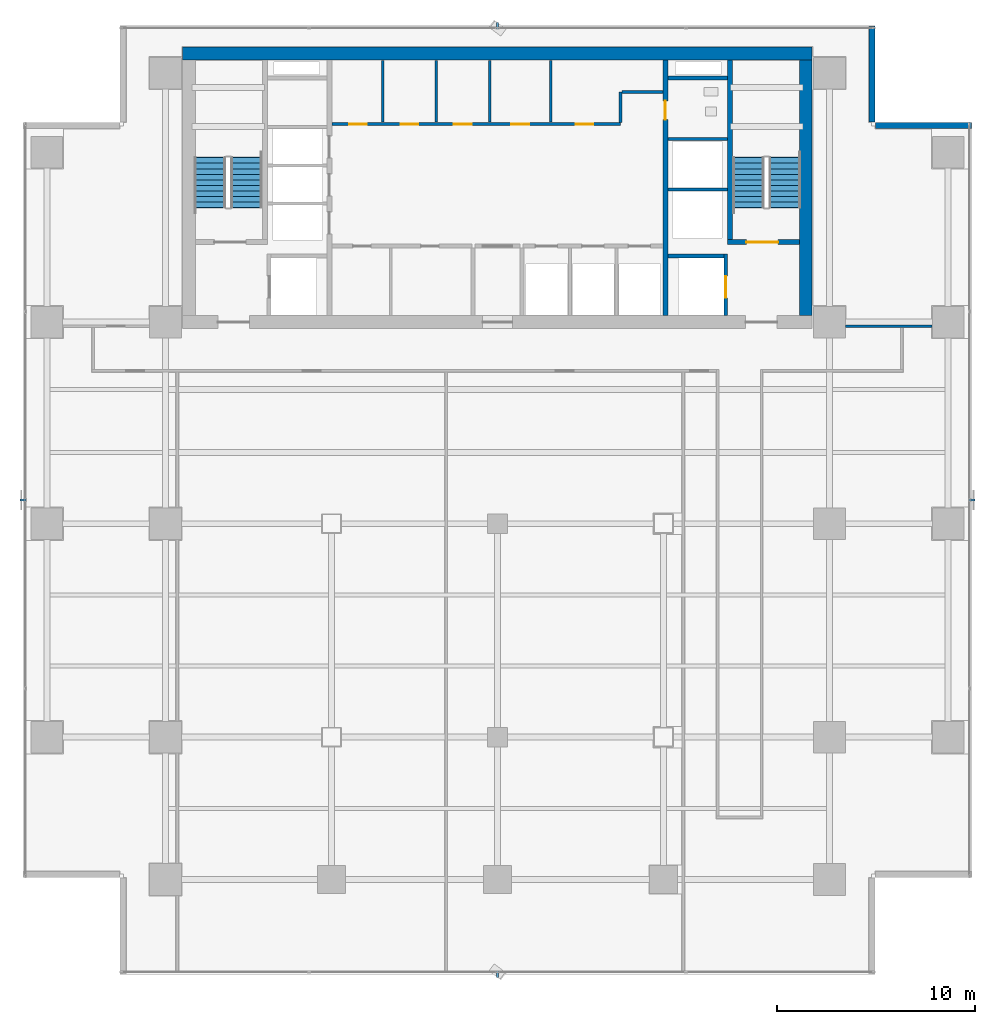
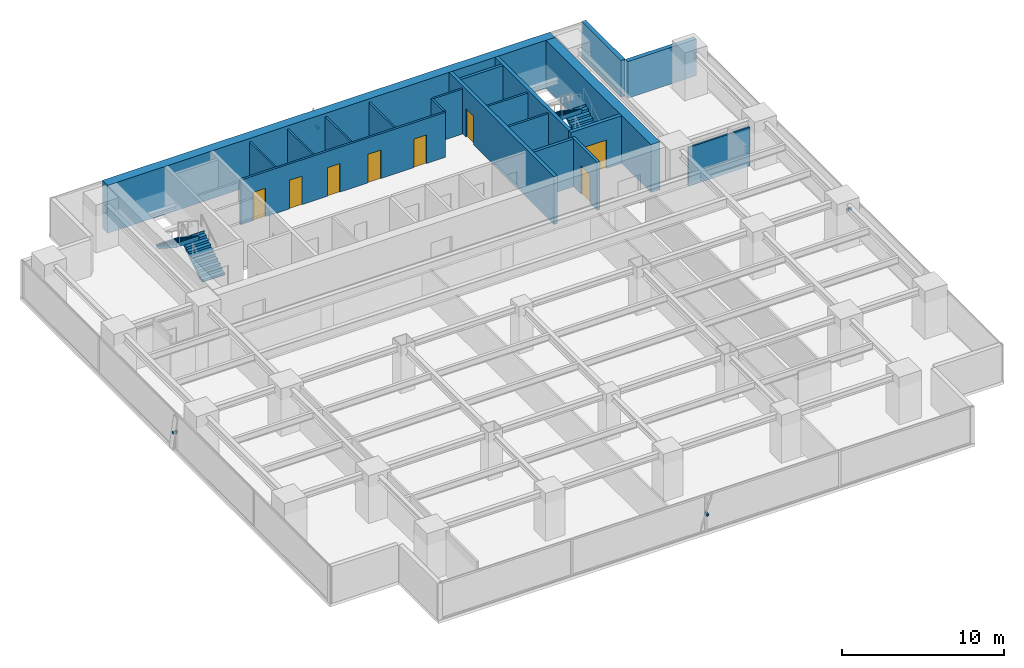
# One storey, part 22 of 27: 20 walls, 8 doors, 4 discrete accessories, 4 stair flights, 8 openings, 2 elements without a shape of their own.
"""IFC4 building model written with IfcOpenShell, lengths in metres."""

import ifcopenshell
import ifcopenshell.guid

model = None  # the IFC model being written
_history = None  # IfcOwnerHistory: only IFC2X3 demands one
_inside = {}  # id of a spatial element -> (the spatial element, [elements in it])
_under = {}  # id of a project, library or spatial element -> (it, [spatial elements below it])
_declared = {}  # id of a project -> (the project, [libraries it declares])
_typed = {}  # id of a type object -> (the type object, [elements of that type])
_made_of = {}  # id of a material, layer set ... -> (it, [elements and type objects made of it])


def new_model(schema):
    """Start an empty IFC model of exactly this schema.

    Asked for "IFC4X3", IfcOpenShell would pick the latest addendum, in which some entities
    have other attributes; the version numbers below select the first issue.
    IFC2X3 requires an IfcOwnerHistory on every rooted entity: one is made here for all.
    """
    global model, _history
    if schema == "IFC4X3":
        model = ifcopenshell.file(schema_version=(4, 3, 0, 0))
    else:
        model = ifcopenshell.file(schema=schema)
    _inside.clear()
    _under.clear()
    _declared.clear()
    _typed.clear()
    _made_of.clear()
    _history = None
    if model.schema == "IFC2X3":
        org = make("IfcOrganization", Name="unknown")
        user = make(
            "IfcPersonAndOrganization",
            ThePerson=make("IfcPerson", FamilyName="unknown"),
            TheOrganization=org,
        )
        app = make(
            "IfcApplication",
            ApplicationDeveloper=org,
            Version="unknown",
            ApplicationFullName="unknown",
            ApplicationIdentifier="unknown",
        )
        _history = make(
            "IfcOwnerHistory",
            OwningUser=user,
            OwningApplication=app,
            ChangeAction="ADDED",
            CreationDate=0,
        )
    return model


def make(cls, **values):
    """One entity of the class cls with the attributes given. An attribute that is None is left unset."""
    return model.create_entity(
        cls, **{name: value for name, value in values.items() if value is not None}
    )


def rooted(cls, **values):
    """An entity with a GlobalId (a new one), such as an element, a storey or a relation."""
    return make(cls, GlobalId=ifcopenshell.guid.new(), OwnerHistory=_history, **values)


def si_unit(unit_type, name, prefix=None):
    """IfcSIUnit, for example si_unit("LENGTHUNIT", "METRE", prefix="MILLI")."""
    return make("IfcSIUnit", UnitType=unit_type, Prefix=prefix, Name=name)


def assignment(units):
    """IfcUnitAssignment: the units of a project."""
    return None if units is None else make("IfcUnitAssignment", Units=units)


def point(xyz):
    """IfcCartesianPoint."""
    return None if xyz is None else make("IfcCartesianPoint", Coordinates=xyz)


def direction(xyz):
    """IfcDirection."""
    return None if xyz is None else make("IfcDirection", DirectionRatios=xyz)


def frame(location, z_axis=None, x_axis=None):
    """IfcAxis2Placement3D, a coordinate frame: its origin and axes. An axis left out is left unset."""
    return make(
        "IfcAxis2Placement3D",
        Location=point(location),
        Axis=direction(z_axis),
        RefDirection=direction(x_axis),
    )


def frame_2d(location, x_axis=None):
    """IfcAxis2Placement2D, a coordinate frame in the plane: its origin and x axis."""
    return make(
        "IfcAxis2Placement2D", Location=point(location), RefDirection=direction(x_axis)
    )


def origin():
    """The frame at (0, 0, 0) with its axes left unset."""
    return frame((0.0, 0.0, 0.0))


def origin_2d():
    """The frame at (0, 0) in the plane with its x axis left unset."""
    return frame_2d((0.0, 0.0))


def place(relative_to, where):
    """IfcLocalPlacement: puts the frame where relative to a parent placement (None: the world)."""
    return make(
        "IfcLocalPlacement", PlacementRelTo=relative_to, RelativePlacement=where
    )


def context(
    kind, dimensions, precision=None, world=None, true_north=None, identifier=None
):
    """IfcGeometricRepresentationContext, for example the 3D "Model" context."""
    return make(
        "IfcGeometricRepresentationContext",
        ContextIdentifier=identifier,
        ContextType=kind,
        CoordinateSpaceDimension=dimensions,
        Precision=precision,
        WorldCoordinateSystem=world,
        TrueNorth=true_north,
    )


def subcontext(parent, identifier, kind, view, scale=None):
    """IfcGeometricRepresentationSubContext, for example "Body" below "Model"."""
    return make(
        "IfcGeometricRepresentationSubContext",
        ContextIdentifier=identifier,
        ContextType=kind,
        ParentContext=parent,
        TargetScale=scale,
        TargetView=view,
    )


def project(units=None, contexts=None):
    """IfcProject with its units and contexts."""
    return rooted(
        "IfcProject",
        Name="project",
        RepresentationContexts=contexts,
        UnitsInContext=assignment(units),
    )


def spatial(cls, under=None, at=None, **own):
    """A site, building, storey or space (cls), placed at a placement, below another one or the project."""
    s = rooted(cls, ObjectPlacement=at, **own)
    if under is not None:
        _under.setdefault(under.id(), (under, []))[1].append(s)
    return s


def polyline(points):
    """IfcPolyline through the points."""
    return make("IfcPolyline", Points=[point(p) for p in points])


def profile(cls, at=None, kind="AREA", **sizes):
    """A parametric profile (cls). Its sizes go by their IFC names, for example OverallWidth=200.0."""
    return make(cls, ProfileType=kind, Position=at, **sizes)


def rectangle(**sizes):
    """IfcRectangleProfileDef."""
    return profile("IfcRectangleProfileDef", **sizes)


def outline(outer, holes=None, kind="AREA"):
    """IfcArbitraryClosedProfileDef: a profile drawn as a closed curve; with holes, ...WithVoids."""
    if holes is None:
        return make("IfcArbitraryClosedProfileDef", ProfileType=kind, OuterCurve=outer)
    return make(
        "IfcArbitraryProfileDefWithVoids",
        ProfileType=kind,
        OuterCurve=outer,
        InnerCurves=holes,
    )


def extrude(swept, where, along, depth):
    """IfcExtrudedAreaSolid: the profile swept, set in the frame where, extruded along a direction by depth."""
    return make(
        "IfcExtrudedAreaSolid",
        SweptArea=swept,
        Position=where,
        ExtrudedDirection=direction(along),
        Depth=depth,
    )


def shape(context_of_items, identifier, shape_type, items):
    """IfcShapeRepresentation: the items that make up one representation, for example the "Body"."""
    return make(
        "IfcShapeRepresentation",
        ContextOfItems=context_of_items,
        RepresentationIdentifier=identifier,
        RepresentationType=shape_type,
        Items=items,
    )


def source(mapping_origin, context_of_items, identifier, shape_type, items):
    """IfcRepresentationMap: a shape defined once, which mapped items show again and again."""
    return make(
        "IfcRepresentationMap",
        MappingOrigin=mapping_origin,
        MappedRepresentation=shape(context_of_items, identifier, shape_type, items),
    )


def transform(
    local_origin,
    x_axis=None,
    y_axis=None,
    z_axis=None,
    scale=None,
    scale2=None,
    scale3=None,
    uniform=True,
):
    """IfcCartesianTransformationOperator3D, or its non-uniform kind. x_axis, y_axis, z_axis: its Axis1, 2, 3."""
    if uniform:
        return make(
            "IfcCartesianTransformationOperator3D",
            Axis1=direction(x_axis),
            Axis2=direction(y_axis),
            LocalOrigin=point(local_origin),
            Scale=scale,
            Axis3=direction(z_axis),
        )
    return make(
        "IfcCartesianTransformationOperator3DnonUniform",
        Axis1=direction(x_axis),
        Axis2=direction(y_axis),
        LocalOrigin=point(local_origin),
        Scale=scale,
        Axis3=direction(z_axis),
        Scale2=scale2,
        Scale3=scale3,
    )


def mapped(mapping_source, mapping_target):
    """IfcMappedItem: shows the shape of a source again, moved by a transform."""
    return make(
        "IfcMappedItem", MappingSource=mapping_source, MappingTarget=mapping_target
    )


def material(Name=None, Category=None):
    """IfcMaterial."""
    return make("IfcMaterial", Name=Name, Category=Category)


def layer(
    of_material, thickness, ventilated=None, Name=None, Category=None, Priority=None
):
    """IfcMaterialLayer: one layer of a wall or slab, of a material (None: an air gap)."""
    return make(
        "IfcMaterialLayer",
        Material=of_material,
        LayerThickness=thickness,
        IsVentilated=ventilated,
        Name=Name,
        Category=Category,
        Priority=Priority,
    )


def layer_set(layers, Name=None):
    """IfcMaterialLayerSet."""
    return make("IfcMaterialLayerSet", MaterialLayers=layers, LayerSetName=Name)


def material_profile(
    of_material, cross_section, Name=None, Category=None, Priority=None
):
    """IfcMaterialProfile: a cross section and its material."""
    return make(
        "IfcMaterialProfile",
        Name=Name,
        Material=of_material,
        Profile=cross_section,
        Priority=Priority,
        Category=Category,
    )


def profile_set(profiles, Name=None, composite=None):
    """IfcMaterialProfileSet."""
    return make(
        "IfcMaterialProfileSet",
        Name=Name,
        MaterialProfiles=profiles,
        CompositeProfile=composite,
    )


def made_of(thing, what):
    """Note that an element or type object is made of a material, layer set ...; save() writes the relation."""
    if what is not None:
        _made_of.setdefault(what.id(), (what, []))[1].append(thing)
    return thing


def type_object(cls, material=None, **own):
    """A type object (cls), such as IfcWallType, which elements share."""
    return made_of(rooted(cls, **own), material)


def element(
    cls,
    number,
    at=None,
    inside=None,
    cuts=None,
    type_object=None,
    material=None,
    context=None,
    identifier="Body",
    shape_type=None,
    held_by="IfcProductDefinitionShape",
    body=None,
    shapes=None,
    **own,
):
    """One element of the class cls, such as IfcWall. Its Tag is "e" and its number.

    at: its placement. inside: the storey or other place that contains it. cuts: it is an
    opening in that element (IfcRelVoidsElement). A single representation is given by context,
    identifier, shape_type and body (its items); several are given by shapes. held_by: the class
    of the entity that holds the representations. save() writes the other relations.
    """
    e = rooted(cls, Tag="e%d" % number, ObjectPlacement=at, **own)
    if body is not None:
        shapes = [shape(context, identifier, shape_type, body)]
    if shapes is not None:
        e.Representation = make(held_by, Representations=shapes)
    if inside is not None:
        _inside.setdefault(inside.id(), (inside, []))[1].append(e)
    if cuts is not None:
        rooted(
            "IfcRelVoidsElement", RelatingBuildingElement=cuts, RelatedOpeningElement=e
        )
    if type_object is not None:
        _typed.setdefault(type_object.id(), (type_object, []))[1].append(e)
    return made_of(e, material)


def fill(opening, filler):
    """IfcRelFillsElement: the door or window that sits in an opening."""
    return rooted(
        "IfcRelFillsElement",
        RelatingOpeningElement=opening,
        RelatedBuildingElement=filler,
    )


def aggregate(whole, parts):
    """IfcRelAggregates: a whole, such as a stair, and the parts it consists of."""
    return rooted("IfcRelAggregates", RelatingObject=whole, RelatedObjects=parts)


def save(model, path):
    """Write the relations noted so far, then the file.

    IfcRelAggregates (storeys below a building ...), IfcRelContainedInSpatialStructure (elements
    in a storey), IfcRelDefinesByType, IfcRelAssociatesMaterial and IfcRelDeclares: one each for
    every whole, place, type object, material and project.
    """
    for whole, parts in _under.values():
        aggregate(whole, parts)
    for where, things in _inside.values():
        rooted(
            "IfcRelContainedInSpatialStructure",
            RelatedElements=things,
            RelatingStructure=where,
        )
    for kind, things in _typed.values():
        rooted("IfcRelDefinesByType", RelatedObjects=things, RelatingType=kind)
    for what, things in _made_of.values():
        rooted("IfcRelAssociatesMaterial", RelatedObjects=things, RelatingMaterial=what)
    for by, libraries in _declared.values():
        rooted("IfcRelDeclares", RelatingContext=by, RelatedDefinitions=libraries)
    model.write(path)


model = new_model("IFC4")

# Units and contexts
model_context = context("Model", 3, precision=1e-05, world=origin(), true_north=direction((0.0, 1.0)))
body_context = subcontext(model_context, "Body", "Model", "MODEL_VIEW")
ifc_project = project(units=[si_unit("LENGTHUNIT", "METRE"), si_unit("AREAUNIT", "SQUARE_METRE"), si_unit("VOLUMEUNIT", "CUBIC_METRE"), si_unit("PLANEANGLEUNIT", "RADIAN"), si_unit("MASSUNIT", "GRAM", prefix="KILO")], contexts=[model_context])

# Site, building, storey
site_placement = place(None, origin())
site = spatial("IfcSite", under=ifc_project, at=site_placement, CompositionType="ELEMENT")
building_placement = place(site_placement, origin())
building = spatial("IfcBuilding", under=site, at=building_placement, Name="Sumidabori Civic Tower", CompositionType="ELEMENT")
storey_placement = place(building_placement, frame((0.0, 0.0, 135.199951171875)))
storey = spatial("IfcBuildingStorey", under=building, at=storey_placement, Name="L34", CompositionType="ELEMENT", Elevation=135.199951171875)

# Walls
ifc_material_1 = material(Name="Concrete C50/60", Category="concrete")
ifc_layer_1 = layer(ifc_material_1, 0.199951171875, Name="Concrete C50/60")
ifc_layer_set_1 = layer_set([ifc_layer_1], Name="Concrete C50/60")
wall_type_1 = type_object("IfcWallType", Name="WL-SHAFT-200", PredefinedType="SHEAR", material=ifc_layer_set_1)
shared_shape_1 = source(origin(), body_context, "Body", "SweptSolid", [
    extrude(rectangle(XDim=2.824951171875, YDim=0.199951171875, at=frame_2d((1.41259765625, 0.0))), origin(), (0.0, 0.0, 1.0), 3.60009765625),
])
wall_1_placement = place(storey_placement, frame((8.625, 13.550048828125, 0.0), z_axis=(0.0, 0.0, 1.0), x_axis=(1.0, 0.0, 0.0)))
element("IfcWall", 1, at=wall_1_placement, inside=storey, type_object=wall_type_1, Name="Core Shear Wall L34 EL2-N", PredefinedType="SHEAR", context=body_context, shape_type="MappedRepresentation", body=[
    mapped(shared_shape_1, transform((0.0, 0.0, 0.0), x_axis=(1.0, 0.0, 0.0), y_axis=(0.0, 1.0, 0.0), z_axis=(0.0, 0.0, 1.0), scale=1.0)),
])
shared_shape_2 = source(origin(), body_context, "Body", "SweptSolid", [
    extrude(rectangle(XDim=3.02001953125, YDim=0.199951171875, at=frame_2d((1.510009765625, 0.0))), origin(), (0.0, 0.0, 1.0), 3.60009765625),
])
wall_2_placement = place(storey_placement, frame((8.625, 22.550048828125, 0.0), z_axis=(0.0, 0.0, 1.0), x_axis=(1.0, 0.0, 0.0)))
element("IfcWall", 2, at=wall_2_placement, inside=storey, type_object=wall_type_1, Name="Core Shear Wall L34 RIS2-S", PredefinedType="SHEAR", context=body_context, shape_type="MappedRepresentation", body=[
    mapped(shared_shape_2, transform((0.0, 0.0, 0.0), x_axis=(1.0, 0.0, 0.0), y_axis=(0.0, 1.0, 0.0), z_axis=(0.0, 0.0, 1.0), scale=1.0)),
])
ifc_material_2 = material(Name="Concrete C60/75", Category="concrete")
ifc_layer_2 = layer(ifc_material_2, 0.64990234375, Name="Concrete C60/75")
ifc_layer_set_2 = layer_set([ifc_layer_2], Name="Concrete C60/75")
wall_type_2 = type_object("IfcWallType", Name="WL-CORE-650", PredefinedType="SHEAR", material=ifc_layer_set_2)
shared_shape_3 = source(origin(), body_context, "Body", "SweptSolid", [
    extrude(rectangle(XDim=31.85009765625, YDim=0.64990234375, at=frame_2d((15.925048828125, 0.0))), origin(), (0.0, 0.0, 1.0), 3.60009765625),
])
wall_3_placement = place(storey_placement, frame((-15.925048828125, 23.800048828125, 0.0), z_axis=(0.0, 0.0, 1.0), x_axis=(1.0, 0.0, 0.0)))
element("IfcWall", 3, at=wall_3_placement, inside=storey, type_object=wall_type_2, Name="Core Shear Wall L34 N", PredefinedType="SHEAR", context=body_context, shape_type="MappedRepresentation", body=[
    mapped(shared_shape_3, transform((0.0, 0.0, 0.0), x_axis=(1.0, 0.0, 0.0), y_axis=(0.0, 1.0, 0.0), z_axis=(0.0, 0.0, 1.0), scale=1.0)),
])
shared_shape_4 = source(origin(), body_context, "Body", "SweptSolid", [
    extrude(rectangle(XDim=12.9501953125, YDim=0.64990234375, at=frame_2d((6.47509765625, 0.0))), origin(), (0.0, 0.0, 1.0), 3.60009765625),
])
wall_4_placement = place(storey_placement, frame((15.60009765625, 10.52490234375, 0.0), z_axis=(0.0, 0.0, 1.0), x_axis=(0.0, 1.0, 0.0)))
element("IfcWall", 4, at=wall_4_placement, inside=storey, type_object=wall_type_2, Name="Core Shear Wall L34 E", PredefinedType="SHEAR", context=body_context, shape_type="MappedRepresentation", body=[
    mapped(shared_shape_4, transform((0.0, 0.0, 0.0), x_axis=(1.0, 0.0, 0.0), y_axis=(0.0, 1.0, 0.0), z_axis=(0.0, 0.0, 1.0), scale=1.0)),
])

# Wall, opening, door
ifc_layer_3 = layer(ifc_material_1, 0.25, Name="Concrete C50/60")
ifc_layer_set_3 = layer_set([ifc_layer_3], Name="Concrete C50/60")
wall_type_3 = type_object("IfcWallType", Name="WL-SHAFT-250", PredefinedType="SHEAR", material=ifc_layer_set_3)
shared_shape_5 = source(origin(), body_context, "Body", "SweptSolid", [
    extrude(rectangle(XDim=12.9501953125, YDim=0.25, at=frame_2d((6.47509765625, 0.0))), origin(), (0.0, 0.0, 1.0), 3.60009765625),
])
wall_5_placement = place(storey_placement, frame((8.5, 10.52490234375, 0.0), z_axis=(0.0, 0.0, 1.0), x_axis=(0.0, 1.0, 0.0)))
wall_5 = element("IfcWall", 5, at=wall_5_placement, inside=storey, type_object=wall_type_3, Name="Core Shear Wall L34 WEB-E", PredefinedType="SHEAR", context=body_context, shape_type="MappedRepresentation", body=[
    mapped(shared_shape_5, transform((0.0, 0.0, 0.0), x_axis=(1.0, 0.0, 0.0), y_axis=(0.0, 1.0, 0.0), z_axis=(0.0, 0.0, 1.0), scale=1.0)),
])
opening_1_placement = place(wall_5_placement, frame((9.925048828125, 0.0, 0.0)))
opening_1 = element("IfcOpeningElement", 6, at=opening_1_placement, cuts=wall_5, Name="Opening DR-2", PredefinedType="OPENING", context=body_context, shape_type="SweptSolid", body=[
    extrude(rectangle(XDim=0.949951171875, YDim=2.14990234375, at=frame_2d((0.47509765625, 1.074951171875))), frame((0.0, 0.136962890625, 0.0), z_axis=(0.0, -1.0, 0.0), x_axis=(1.0, 0.0, 0.0)), (0.0, 0.0, 1.0), 0.27392578125),
])
ifc_material_3 = material(Name="Japanese Hinoki Timber", Category="wood")
door_type_1 = type_object("IfcDoorType", Name="DR-INT-950", OperationType="NOTDEFINED", PredefinedType="DOOR", material=ifc_material_3)
shared_shape_6 = source(origin(), body_context, "Body", "SweptSolid", [
    extrude(rectangle(XDim=0.949951171875, YDim=2.14990234375, at=frame_2d((0.47509765625, 1.074951171875))), frame((0.0, 0.02490234375, 0.0), z_axis=(0.0, -1.0, 0.0), x_axis=(1.0, 0.0, 0.0)), (0.0, 0.0, 1.0), 0.050048828125),
])
door_1_placement = place(opening_1_placement, origin())
door_1 = element("IfcDoor", 7, at=door_1_placement, inside=storey, type_object=door_type_1, Name="Door DR:L34:WC-ACC", OperationType="SINGLE_SWING_RIGHT", OverallHeight=2.14990234375, OverallWidth=0.949951171875, PredefinedType="DOOR", context=body_context, shape_type="MappedRepresentation", body=[
    mapped(shared_shape_6, transform((0.0, 0.0, 0.0), x_axis=(1.0, 0.0, 0.0), y_axis=(0.0, 1.0, 0.0), z_axis=(0.0, 0.0, 1.0), scale=1.0)),
])
fill(opening_1, door_1)

shared_shape_7 = source(origin(), body_context, "Body", "SweptSolid", [
    extrude(rectangle(XDim=3.6298828125, YDim=0.25, at=frame_2d((1.81494140625, 0.0))), origin(), (0.0, 0.0, 1.0), 3.60009765625),
])
wall_6_placement = place(storey_placement, frame((11.64501953125, 14.25, 0.0), z_axis=(0.0, 0.0, 1.0), x_axis=(1.0, 0.0, 0.0)))
wall_6 = element("IfcWall", 8, at=wall_6_placement, inside=storey, type_object=wall_type_3, Name="Core Shear Wall L34 ST2-S", PredefinedType="SHEAR", context=body_context, shape_type="MappedRepresentation", body=[
    mapped(shared_shape_7, transform((0.0, 0.0, 0.0), x_axis=(1.0, 0.0, 0.0), y_axis=(0.0, 1.0, 0.0), z_axis=(0.0, 0.0, 1.0), scale=1.0)),
])
opening_2_placement = place(wall_6_placement, frame((0.949951171875, 0.0, 0.0)))
opening_2 = element("IfcOpeningElement", 9, at=opening_2_placement, cuts=wall_6, Name="Opening DR-FD4", PredefinedType="OPENING", context=body_context, shape_type="SweptSolid", body=[
    extrude(rectangle(XDim=1.60009765625, YDim=2.14990234375, at=frame_2d((0.800048828125, 1.074951171875))), frame((0.0, 0.136962890625, 0.0), z_axis=(0.0, -1.0, 0.0), x_axis=(1.0, 0.0, 0.0)), (0.0, 0.0, 1.0), 0.27392578125),
])
ifc_material_4 = material(Name="Steel SN490", Category="steel")
door_type_2 = type_object("IfcDoorType", Name="DR-FD4", OperationType="DOUBLE_DOOR_SINGLE_SWING", PredefinedType="DOOR", material=ifc_material_4)
shared_shape_8 = source(origin(), body_context, "Body", "SweptSolid", [
    extrude(rectangle(XDim=1.60009765625, YDim=2.14990234375, at=frame_2d((0.800048828125, 1.074951171875))), frame((0.0, 0.02490234375, 0.0), z_axis=(0.0, -1.0, 0.0), x_axis=(1.0, 0.0, 0.0)), (0.0, 0.0, 1.0), 0.050048828125),
])
door_2_placement = place(opening_2_placement, origin())
door_2 = element("IfcDoor", 10, at=door_2_placement, inside=storey, type_object=door_type_2, Name="Door DR:L34:ST2", OperationType="DOUBLE_DOOR_SINGLE_SWING", OverallHeight=2.14990234375, OverallWidth=1.60009765625, PredefinedType="DOOR", context=body_context, shape_type="MappedRepresentation", body=[
    mapped(shared_shape_8, transform((0.0, 0.0, 0.0), x_axis=(1.0, 0.0, 0.0), y_axis=(0.0, 1.0, 0.0), z_axis=(0.0, 0.0, 1.0), scale=1.0)),
])
fill(opening_2, door_2)

# Wall
shared_shape_9 = source(origin(), body_context, "Body", "SweptSolid", [
    extrude(rectangle(XDim=9.10009765625, YDim=0.25, at=frame_2d((4.550048828125, 0.0))), origin(), (0.0, 0.0, 1.0), 3.60009765625),
])
wall_7_placement = place(storey_placement, frame((11.77001953125, 14.375, 0.0), z_axis=(0.0, 0.0, 1.0), x_axis=(0.0, 1.0, 0.0)))
element("IfcWall", 11, at=wall_7_placement, inside=storey, type_object=wall_type_3, Name="Core Shear Wall L34 ST2-W", PredefinedType="SHEAR", context=body_context, shape_type="MappedRepresentation", body=[
    mapped(shared_shape_9, transform((0.0, 0.0, 0.0), x_axis=(1.0, 0.0, 0.0), y_axis=(0.0, 1.0, 0.0), z_axis=(0.0, 0.0, 1.0), scale=1.0)),
])

# Wall, opening, door
shared_shape_10 = source(origin(), body_context, "Body", "SweptSolid", [
    extrude(rectangle(XDim=3.125, YDim=0.199951171875, at=frame_2d((1.5625, 0.0))), origin(), (0.0, 0.0, 1.0), 3.60009765625),
])
wall_8_placement = place(storey_placement, frame((11.550048828125, 10.52490234375, 0.0), z_axis=(0.0, 0.0, 1.0), x_axis=(0.0, 1.0, 0.0)))
wall_8 = element("IfcWall", 12, at=wall_8_placement, inside=storey, type_object=wall_type_1, Name="Core Shear Wall L34 EL2-E", PredefinedType="SHEAR", context=body_context, shape_type="MappedRepresentation", body=[
    mapped(shared_shape_10, transform((0.0, 0.0, 0.0), x_axis=(1.0, 0.0, 0.0), y_axis=(0.0, 1.0, 0.0), z_axis=(0.0, 0.0, 1.0), scale=1.0)),
])
opening_3_placement = place(wall_8_placement, frame((0.89990234375, 0.0, 0.0)))
opening_3 = element("IfcOpeningElement", 13, at=opening_3_placement, cuts=wall_8, Name="Opening LD-2", PredefinedType="OPENING", context=body_context, shape_type="SweptSolid", body=[
    extrude(rectangle(XDim=1.10009765625, YDim=2.14990234375, at=frame_2d((0.550048828125, 1.074951171875))), frame((0.0, 0.11181640625, 0.0), z_axis=(0.0, -1.0, 0.0), x_axis=(1.0, 0.0, 0.0)), (0.0, 0.0, 1.0), 0.223876953125),
])
ifc_material_5 = material(Name="Stainless Steel Hairline Finish", Category="steel")
door_type_3 = type_object("IfcDoorType", Name="DR-LD2", OperationType="DOUBLE_DOOR_SLIDING", PredefinedType="DOOR", material=ifc_material_5)
shared_shape_11 = source(origin(), body_context, "Body", "SweptSolid", [
    extrude(rectangle(XDim=1.10009765625, YDim=2.14990234375, at=frame_2d((0.550048828125, 1.074951171875))), frame((0.0, 0.02490234375, 0.0), z_axis=(0.0, -1.0, 0.0), x_axis=(1.0, 0.0, 0.0)), (0.0, 0.0, 1.0), 0.050048828125),
])
door_3_placement = place(opening_3_placement, origin())
door_3 = element("IfcDoor", 14, at=door_3_placement, inside=storey, type_object=door_type_3, Name="Door DR:L34:LD-EL2", OperationType="DOUBLE_DOOR_SLIDING", OverallHeight=2.14990234375, OverallWidth=1.10009765625, PredefinedType="DOOR", context=body_context, shape_type="MappedRepresentation", body=[
    mapped(shared_shape_11, transform((0.0, 0.0, 0.0), x_axis=(1.0, 0.0, 0.0), y_axis=(0.0, 1.0, 0.0), z_axis=(0.0, 0.0, 1.0), scale=1.0)),
])
fill(opening_3, door_3)

# Walls
ifc_material_6 = material(Name="Precast concrete C40/50", Category="concrete")
ifc_layer_4 = layer(ifc_material_6, 0.300048828125, Name="Precast concrete C40/50")
ifc_layer_set_4 = layer_set([ifc_layer_4], Name="Precast concrete C40/50")
wall_type_4 = type_object("IfcWallType", Name="WL-EXT-POD300", PredefinedType="STANDARD", material=ifc_layer_set_4)
shared_shape_12 = source(origin(), body_context, "Body", "SweptSolid", [
    extrude(rectangle(XDim=4.85986328125, YDim=0.300048828125, at=frame_2d((2.429931640625, 0.0))), origin(), (0.0, 0.0, 1.0), 2.760009765625),
])
for number, where, z_axis, x_axis, name in (
    (15, (23.97998046875, 20.14990234375, 0.0), (0.0, 0.0, 1.0), (-1.0, 0.0, 0.0), "Notched Corner Spandrel Band L34-05"),
    (16, (18.949951171875, 20.320068359375, 0.0), (0.0, 0.0, 1.0), (0.0, 1.0, 0.0), "Notched Corner Spandrel Band L34-06"),
):
    element("IfcWall", number, at=place(storey_placement, frame(where, z_axis=z_axis, x_axis=x_axis)), inside=storey, type_object=wall_type_4, Name=name, PredefinedType="STANDARD", context=body_context, shape_type="MappedRepresentation", body=[
        mapped(shared_shape_12, transform((0.0, 0.0, 0.0), x_axis=(1.0, 0.0, 0.0), y_axis=(0.0, 1.0, 0.0), z_axis=(0.0, 0.0, 1.0), scale=1.0)),
    ])
ifc_material_7 = material(Name="Gypsum Plasterboard Acoustic Partition")
ifc_layer_5 = layer(ifc_material_7, 0.14990234375, Name="Gypsum Plasterboard Acoustic Partition")
ifc_layer_set_5 = layer_set([ifc_layer_5], Name="Gypsum Plasterboard Acoustic Partition")
wall_type_5 = type_object("IfcWallType", Name="WL-PART-150", PredefinedType="PARTITIONING", material=ifc_layer_set_5)
shared_shape_13 = source(origin(), body_context, "Body", "SweptSolid", [
    extrude(rectangle(XDim=3.010009765625, YDim=0.14990234375, at=frame_2d((1.5048828125, 0.0))), origin(), (0.0, 0.0, 1.0), 3.380126953125),
])
for number, where, z_axis, x_axis, name in (
    (17, (8.6298828125, 16.919921875, 0.0), (0.0, 0.0, 1.0), (1.0, 0.0, 0.0), "Interior Partition WL:L34:DIV-OBS1"),
    (18, (8.6298828125, 19.469970703125, 0.0), (0.0, 0.0, 1.0), (1.0, 0.0, 0.0), "Interior Partition WL:L34:DIV-OBS2"),
):
    element("IfcWall", number, at=place(storey_placement, frame(where, z_axis=z_axis, x_axis=x_axis)), inside=storey, type_object=wall_type_5, Name=name, PredefinedType="PARTITIONING", context=body_context, shape_type="MappedRepresentation", body=[
        mapped(shared_shape_13, transform((0.0, 0.0, 0.0), x_axis=(1.0, 0.0, 0.0), y_axis=(0.0, 1.0, 0.0), z_axis=(0.0, 0.0, 1.0), scale=1.0)),
    ])

# Wall, openings, doors
shared_shape_14 = source(origin(), body_context, "Body", "SweptSolid", [
    extrude(rectangle(XDim=14.590087890625, YDim=0.14990234375, at=frame_2d((7.294921875, 0.0))), origin(), (0.0, 0.0, 1.0), 3.380126953125),
])
wall_9_placement = place(storey_placement, frame((-8.3701171875, 20.219970703125, 0.0), z_axis=(0.0, 0.0, 1.0), x_axis=(1.0, 0.0, 0.0)))
wall_9 = element("IfcWall", 19, at=wall_9_placement, inside=storey, type_object=wall_type_5, Name="Interior Partition WL:L34:CBAND-M", PredefinedType="PARTITIONING", context=body_context, shape_type="MappedRepresentation", body=[
    mapped(shared_shape_14, transform((0.0, 0.0, 0.0), x_axis=(1.0, 0.0, 0.0), y_axis=(0.0, 1.0, 0.0), z_axis=(0.0, 0.0, 1.0), scale=1.0)),
])
opening_4_placement = place(wall_9_placement, frame((0.860107421875, 0.0, 0.0)))
opening_4 = element("IfcOpeningElement", 20, at=opening_4_placement, cuts=wall_9, Name="Opening DR-1", PredefinedType="OPENING", context=body_context, shape_type="SweptSolid", body=[
    extrude(rectangle(XDim=0.89990234375, YDim=2.14990234375, at=frame_2d((0.449951171875, 1.074951171875))), frame((0.0, 0.0869140625, 0.0), z_axis=(0.0, -1.0, 0.0), x_axis=(1.0, 0.0, 0.0)), (0.0, 0.0, 1.0), 0.173828125),
])
opening_5_placement = place(wall_9_placement, frame((3.469970703125, 0.0, 0.0)))
opening_5 = element("IfcOpeningElement", 21, at=opening_5_placement, cuts=wall_9, Name="Opening DR-1", PredefinedType="OPENING", context=body_context, shape_type="SweptSolid", body=[
    extrude(rectangle(XDim=0.89990234375, YDim=2.14990234375, at=frame_2d((0.449951171875, 1.074951171875))), frame((0.0, 0.0869140625, 0.0), z_axis=(0.0, -1.0, 0.0), x_axis=(1.0, 0.0, 0.0)), (0.0, 0.0, 1.0), 0.173828125),
])
opening_6_placement = place(wall_9_placement, frame((6.169921875, 0.0, 0.0)))
opening_6 = element("IfcOpeningElement", 22, at=opening_6_placement, cuts=wall_9, Name="Opening DR-1", PredefinedType="OPENING", context=body_context, shape_type="SweptSolid", body=[
    extrude(rectangle(XDim=0.89990234375, YDim=2.14990234375, at=frame_2d((0.449951171875, 1.074951171875))), frame((0.0, 0.0869140625, 0.0), z_axis=(0.0, -1.0, 0.0), x_axis=(1.0, 0.0, 0.0)), (0.0, 0.0, 1.0), 0.173828125),
])
opening_7_placement = place(wall_9_placement, frame((9.070068359375, 0.0, 0.0)))
opening_7 = element("IfcOpeningElement", 23, at=opening_7_placement, cuts=wall_9, Name="Opening DR-1", PredefinedType="OPENING", context=body_context, shape_type="SweptSolid", body=[
    extrude(rectangle(XDim=0.89990234375, YDim=2.14990234375, at=frame_2d((0.449951171875, 1.074951171875))), frame((0.0, 0.0869140625, 0.0), z_axis=(0.0, -1.0, 0.0), x_axis=(1.0, 0.0, 0.0)), (0.0, 0.0, 1.0), 0.173828125),
])
opening_8_placement = place(wall_9_placement, frame((12.320068359375, 0.0, 0.0)))
opening_8 = element("IfcOpeningElement", 24, at=opening_8_placement, cuts=wall_9, Name="Opening DR-1", PredefinedType="OPENING", context=body_context, shape_type="SweptSolid", body=[
    extrude(rectangle(XDim=0.89990234375, YDim=2.14990234375, at=frame_2d((0.449951171875, 1.074951171875))), frame((0.0, 0.0869140625, 0.0), z_axis=(0.0, -1.0, 0.0), x_axis=(1.0, 0.0, 0.0)), (0.0, 0.0, 1.0), 0.173828125),
])
door_type_4 = type_object("IfcDoorType", Name="DR-INT-900", OperationType="NOTDEFINED", PredefinedType="DOOR", material=ifc_material_3)
shared_shape_15 = source(origin(), body_context, "Body", "SweptSolid", [
    extrude(rectangle(XDim=0.89990234375, YDim=2.14990234375, at=frame_2d((0.449951171875, 1.074951171875))), frame((0.0, 0.02490234375, 0.0), z_axis=(0.0, -1.0, 0.0), x_axis=(1.0, 0.0, 0.0)), (0.0, 0.0, 1.0), 0.050048828125),
])
door_4_placement = place(opening_4_placement, origin())
door_4 = element("IfcDoor", 25, at=door_4_placement, inside=storey, type_object=door_type_4, Name="Door DR:L34:CB-1", OperationType="SINGLE_SWING_LEFT", OverallHeight=2.14990234375, OverallWidth=0.89990234375, PredefinedType="DOOR", context=body_context, shape_type="MappedRepresentation", body=[
    mapped(shared_shape_15, transform((0.0, 0.0, 0.0), x_axis=(1.0, 0.0, 0.0), y_axis=(0.0, 1.0, 0.0), z_axis=(0.0, 0.0, 1.0), scale=1.0)),
])
fill(opening_4, door_4)
door_5_placement = place(opening_5_placement, origin())
door_5 = element("IfcDoor", 26, at=door_5_placement, inside=storey, type_object=door_type_4, Name="Door DR:L34:CB-2", OperationType="SINGLE_SWING_RIGHT", OverallHeight=2.14990234375, OverallWidth=0.89990234375, PredefinedType="DOOR", context=body_context, shape_type="MappedRepresentation", body=[
    mapped(shared_shape_15, transform((0.0, 0.0, 0.0), x_axis=(1.0, 0.0, 0.0), y_axis=(0.0, 1.0, 0.0), z_axis=(0.0, 0.0, 1.0), scale=1.0)),
])
fill(opening_5, door_5)
door_6_placement = place(opening_6_placement, origin())
door_6 = element("IfcDoor", 27, at=door_6_placement, inside=storey, type_object=door_type_4, Name="Door DR:L34:CB-3", OperationType="SINGLE_SWING_LEFT", OverallHeight=2.14990234375, OverallWidth=0.89990234375, PredefinedType="DOOR", context=body_context, shape_type="MappedRepresentation", body=[
    mapped(shared_shape_15, transform((0.0, 0.0, 0.0), x_axis=(1.0, 0.0, 0.0), y_axis=(0.0, 1.0, 0.0), z_axis=(0.0, 0.0, 1.0), scale=1.0)),
])
fill(opening_6, door_6)
door_7_placement = place(opening_7_placement, origin())
door_7 = element("IfcDoor", 28, at=door_7_placement, inside=storey, type_object=door_type_4, Name="Door DR:L34:CB-4", OperationType="SINGLE_SWING_RIGHT", OverallHeight=2.14990234375, OverallWidth=0.89990234375, PredefinedType="DOOR", context=body_context, shape_type="MappedRepresentation", body=[
    mapped(shared_shape_15, transform((0.0, 0.0, 0.0), x_axis=(1.0, 0.0, 0.0), y_axis=(0.0, 1.0, 0.0), z_axis=(0.0, 0.0, 1.0), scale=1.0)),
])
fill(opening_7, door_7)
door_8_placement = place(opening_8_placement, origin())
door_8 = element("IfcDoor", 29, at=door_8_placement, inside=storey, type_object=door_type_4, Name="Door DR:L34:CB-5", OperationType="SINGLE_SWING_LEFT", OverallHeight=2.14990234375, OverallWidth=0.89990234375, PredefinedType="DOOR", context=body_context, shape_type="MappedRepresentation", body=[
    mapped(shared_shape_15, transform((0.0, 0.0, 0.0), x_axis=(1.0, 0.0, 0.0), y_axis=(0.0, 1.0, 0.0), z_axis=(0.0, 0.0, 1.0), scale=1.0)),
])
fill(opening_8, door_8)

# Walls
shared_shape_16 = source(origin(), body_context, "Body", "SweptSolid", [
    extrude(rectangle(XDim=1.550048828125, YDim=0.14990234375, at=frame_2d((0.77490234375, 0.0))), origin(), (0.0, 0.0, 1.0), 3.380126953125),
])
wall_10_placement = place(storey_placement, frame((6.219970703125, 20.300048828125, 0.0), z_axis=(0.0, 0.0, 1.0), x_axis=(0.0, 1.0, 0.0)))
element("IfcWall", 30, at=wall_10_placement, inside=storey, type_object=wall_type_5, Name="Interior Partition WL:L34:CBAND-ME1", PredefinedType="PARTITIONING", context=body_context, shape_type="MappedRepresentation", body=[
    mapped(shared_shape_16, transform((0.0, 0.0, 0.0), x_axis=(1.0, 0.0, 0.0), y_axis=(0.0, 1.0, 0.0), z_axis=(0.0, 0.0, 1.0), scale=1.0)),
])
shared_shape_17 = source(origin(), body_context, "Body", "SweptSolid", [
    extrude(rectangle(XDim=2.070068359375, YDim=0.14990234375, at=frame_2d((1.03515625, 0.0))), origin(), (0.0, 0.0, 1.0), 3.380126953125),
])
wall_11_placement = place(storey_placement, frame((6.300048828125, 21.85009765625, 0.0), z_axis=(0.0, 0.0, 1.0), x_axis=(1.0, 0.0, 0.0)))
element("IfcWall", 31, at=wall_11_placement, inside=storey, type_object=wall_type_5, Name="Interior Partition WL:L34:CBAND-ME2", PredefinedType="PARTITIONING", context=body_context, shape_type="MappedRepresentation", body=[
    mapped(shared_shape_17, transform((0.0, 0.0, 0.0), x_axis=(1.0, 0.0, 0.0), y_axis=(0.0, 1.0, 0.0), z_axis=(0.0, 0.0, 1.0), scale=1.0)),
])
ifc_layer_6 = layer(ifc_material_7, 0.1201171875, Name="Gypsum Plasterboard Acoustic Partition")
ifc_layer_set_6 = layer_set([ifc_layer_6], Name="Gypsum Plasterboard Acoustic Partition")
wall_type_6 = type_object("IfcWallType", Name="WL-PART-120", PredefinedType="PARTITIONING", material=ifc_layer_set_6)
shared_shape_18 = source(origin(), body_context, "Body", "SweptSolid", [
    extrude(rectangle(XDim=3.114990234375, YDim=0.1201171875, at=frame_2d((1.5576171875, 0.0))), origin(), (0.0, 0.0, 1.0), 3.380126953125),
])
for number, where, z_axis, x_axis, name in (
    (32, (-5.800048828125, 20.320068359375, 0.0), (0.0, 0.0, 1.0), (0.0, 1.0, 0.0), "Interior Partition WL:L34:LV8-S1"),
    (33, (-3.10009765625, 20.320068359375, 0.0), (0.0, 0.0, 1.0), (0.0, 1.0, 0.0), "Interior Partition WL:L34:LV8-S2"),
    (34, (-0.39990234375, 20.320068359375, 0.0), (0.0, 0.0, 1.0), (0.0, 1.0, 0.0), "Interior Partition WL:L34:LV8-S3"),
    (35, (2.699951171875, 20.320068359375, 0.0), (0.0, 0.0, 1.0), (0.0, 1.0, 0.0), "Interior Partition WL:L34:LV8-S4"),
):
    element("IfcWall", number, at=place(storey_placement, frame(where, z_axis=z_axis, x_axis=x_axis)), inside=storey, type_object=wall_type_6, Name=name, PredefinedType="PARTITIONING", context=body_context, shape_type="MappedRepresentation", body=[
        mapped(shared_shape_18, transform((0.0, 0.0, 0.0), x_axis=(1.0, 0.0, 0.0), y_axis=(0.0, 1.0, 0.0), z_axis=(0.0, 0.0, 1.0), scale=1.0)),
    ])
shared_shape_19 = source(origin(), body_context, "Body", "SweptSolid", [
    extrude(rectangle(XDim=4.3798828125, YDim=0.1201171875, at=frame_2d((2.18994140625, 0.0))), origin(), (0.0, 0.0, 1.0), 2.9150390625),
])
wall_12_placement = place(storey_placement, frame((17.610107421875, 10.0, 0.0), z_axis=(0.0, 0.0, 1.0), x_axis=(1.0, 0.0, 0.0)))
element("IfcWall", 36, at=wall_12_placement, inside=storey, type_object=wall_type_6, Name="Interior Partition WL:L34:FLK-NE", PredefinedType="PARTITIONING", context=body_context, shape_type="MappedRepresentation", body=[
    mapped(shared_shape_19, transform((0.0, 0.0, 0.0), x_axis=(1.0, 0.0, 0.0), y_axis=(0.0, 1.0, 0.0), z_axis=(0.0, 0.0, 1.0), scale=1.0)),
])

# Stair, stair flights
ifc_material_8 = material(Name="Concrete C40/50", Category="concrete")
stair_type = type_object("IfcStairType", Name="ST-CORE-1600", PredefinedType="HALF_TURN_STAIR", material=ifc_material_8)
stair_1_placement = place(storey_placement, origin())
stair_1 = element("IfcStair", 37, at=stair_1_placement, inside=storey, type_object=stair_type, Name="L34 ST-1", PredefinedType="HALF_TURN_STAIR")
stair_flight_type = type_object("IfcStairFlightType", Name="SF-CORE-1600", PredefinedType="STRAIGHT", material=ifc_material_8)
shared_shape_20 = source(origin(), body_context, "Body", "SweptSolid", [
    extrude(outline(polyline([(-0.02490234375, 0.0), (-0.02490234375, 0.0400390625), (0.0, 0.0400390625), (0.0, 0.179931640625), (0.280029296875, 0.179931640625), (0.280029296875, 0.360107421875), (0.56005859375, 0.360107421875), (0.56005859375, 0.5400390625), (0.840087890625, 0.5400390625), (0.840087890625, 0.719970703125), (1.1201171875, 0.719970703125), (1.1201171875, 0.89990234375), (1.39990234375, 0.89990234375), (1.39990234375, 1.080078125), (1.679931640625, 1.080078125), (1.679931640625, 1.260009765625), (1.9599609375, 1.260009765625), (1.9599609375, 1.43994140625), (2.239990234375, 1.43994140625), (2.239990234375, 1.6201171875), (2.52001953125, 1.6201171875), (2.52001953125, 1.800048828125), (2.544921875, 1.800048828125), (2.544921875, 1.650146484375), (2.52001953125, 1.44189453125), (0.277099609375, 0.0), (-0.02490234375, 0.0)])), frame((0.0, 0.800048828125, 0.0), z_axis=(0.0, -1.0, 0.0), x_axis=(1.0, 0.0, 0.0)), (0.0, 0.0, 1.0), 1.60009765625),
])
stair_flight_1_placement = place(storey_placement, frame((-12.699951171875, 16.0, 0.0), z_axis=(0.0, 0.0, 1.0), x_axis=(0.0, 1.0, 0.0)))
stair_flight_1 = element("IfcStairFlight", 38, at=stair_flight_1_placement, type_object=stair_flight_type, Name="ST-1 flight 1", NumberOfRisers=10, NumberOfTreads=9, PredefinedType="STRAIGHT", RiserHeight=0.18, TreadLength=0.28, context=body_context, shape_type="MappedRepresentation", body=[
    mapped(shared_shape_20, transform((0.0, 0.0, 0.0), x_axis=(1.0, 0.0, 0.0), y_axis=(0.0, 1.0, 0.0), z_axis=(0.0, 0.0, 1.0), scale=1.0)),
])
stair_flight_2_placement = place(storey_placement, frame((-14.5400390625, 18.52001953125, 1.800048828125), z_axis=(0.0, 0.0, 1.0), x_axis=(0.0, -1.0, 0.0)))
stair_flight_2 = element("IfcStairFlight", 39, at=stair_flight_2_placement, type_object=stair_flight_type, Name="ST-1 flight 2", NumberOfRisers=10, NumberOfTreads=9, PredefinedType="STRAIGHT", RiserHeight=0.18, TreadLength=0.28, context=body_context, shape_type="MappedRepresentation", body=[
    mapped(shared_shape_20, transform((0.0, 0.0, 0.0), x_axis=(1.0, 0.0, 0.0), y_axis=(0.0, 1.0, 0.0), z_axis=(0.0, 0.0, 1.0), scale=1.0)),
])
aggregate(stair_1, [stair_flight_1, stair_flight_2])

stair_2_placement = place(storey_placement, origin())
stair_2 = element("IfcStair", 40, at=stair_2_placement, inside=storey, type_object=stair_type, Name="L34 ST-2", PredefinedType="HALF_TURN_STAIR")
stair_flight_3_placement = place(storey_placement, frame((14.5400390625, 16.0, 0.0), z_axis=(0.0, 0.0, 1.0), x_axis=(0.0, 1.0, 0.0)))
stair_flight_3 = element("IfcStairFlight", 41, at=stair_flight_3_placement, type_object=stair_flight_type, Name="ST-2 flight 1", NumberOfRisers=10, NumberOfTreads=9, PredefinedType="STRAIGHT", RiserHeight=0.18, TreadLength=0.28, context=body_context, shape_type="MappedRepresentation", body=[
    mapped(shared_shape_20, transform((0.0, 0.0, 0.0), x_axis=(1.0, 0.0, 0.0), y_axis=(0.0, 1.0, 0.0), z_axis=(0.0, 0.0, 1.0), scale=1.0)),
])
stair_flight_4_placement = place(storey_placement, frame((12.699951171875, 18.52001953125, 1.800048828125), z_axis=(0.0, 0.0, 1.0), x_axis=(0.0, -1.0, 0.0)))
stair_flight_4 = element("IfcStairFlight", 42, at=stair_flight_4_placement, type_object=stair_flight_type, Name="ST-2 flight 2", NumberOfRisers=10, NumberOfTreads=9, PredefinedType="STRAIGHT", RiserHeight=0.18, TreadLength=0.28, context=body_context, shape_type="MappedRepresentation", body=[
    mapped(shared_shape_20, transform((0.0, 0.0, 0.0), x_axis=(1.0, 0.0, 0.0), y_axis=(0.0, 1.0, 0.0), z_axis=(0.0, 0.0, 1.0), scale=1.0)),
])
aggregate(stair_2, [stair_flight_3, stair_flight_4])

# Discrete accessories
ifc_material_profile = material_profile(ifc_material_5, rectangle(XDim=0.1201171875, YDim=0.179931640625, at=origin_2d()), Name="STEEL BRACKET 180x120")
ifc_profile_set = profile_set([ifc_material_profile], Name="Stainless Steel Hairline Finish")
discrete_accessory_type = type_object("IfcDiscreteAccessoryType", Name="AC-BRK-180", PredefinedType="BRACKET", material=ifc_profile_set)
shared_shape_21 = source(origin(), body_context, "Body", "SweptSolid", [
    extrude(rectangle(XDim=0.1201171875, YDim=0.179931640625, at=origin_2d()), origin(), (0.0, 0.0, 1.0), 0.329833984375),
])
for number, where, z_axis, x_axis, name in (
    (43, (23.830078125, 1.199951171875, 1.3701171875), (1.0, 0.0, 0.0), (0.0, 1.0, 0.0), "Bronze Fin Fixing Bracket L34-02"),
    (44, (-23.830078125, 1.199951171875, 1.3701171875), (-1.0, 0.0, 0.0), (0.0, -1.0, 0.0), "Bronze Fin Fixing Bracket L34-02"),
):
    element("IfcDiscreteAccessory", number, at=place(storey_placement, frame(where, z_axis=z_axis, x_axis=x_axis)), inside=storey, type_object=discrete_accessory_type, Name=name, PredefinedType="BRACKET", context=body_context, shape_type="MappedRepresentation", body=[
        mapped(shared_shape_21, transform((0.0, 0.0, 0.0), x_axis=(1.0, 0.0, 0.0), y_axis=(0.0, 1.0, 0.0), z_axis=(0.0, 0.0, 1.0), scale=1.0)),
    ])
shared_shape_22 = source(origin(), body_context, "Body", "SweptSolid", [
    extrude(rectangle(XDim=0.1201171875, YDim=0.179931640625, at=origin_2d()), origin(), (0.0, 0.0, 1.0), 0.330078125),
])
for number, where, z_axis, x_axis, name in (
    (45, (0.0, -22.6298828125, 1.3701171875), (0.0, -1.0, 0.0), (1.0, 0.0, 0.0), "Bronze Fin Fixing Bracket L34-02"),
    (46, (0.0, 25.030029296875, 1.3701171875), (0.0, 1.0, 0.0), (-1.0, 0.0, 0.0), "Bronze Fin Fixing Bracket L34-02"),
):
    element("IfcDiscreteAccessory", number, at=place(storey_placement, frame(where, z_axis=z_axis, x_axis=x_axis)), inside=storey, type_object=discrete_accessory_type, Name=name, PredefinedType="BRACKET", context=body_context, shape_type="MappedRepresentation", body=[
        mapped(shared_shape_22, transform((0.0, 0.0, 0.0), x_axis=(1.0, 0.0, 0.0), y_axis=(0.0, 1.0, 0.0), z_axis=(0.0, 0.0, 1.0), scale=1.0)),
    ])

save(model, "model.ifc")
